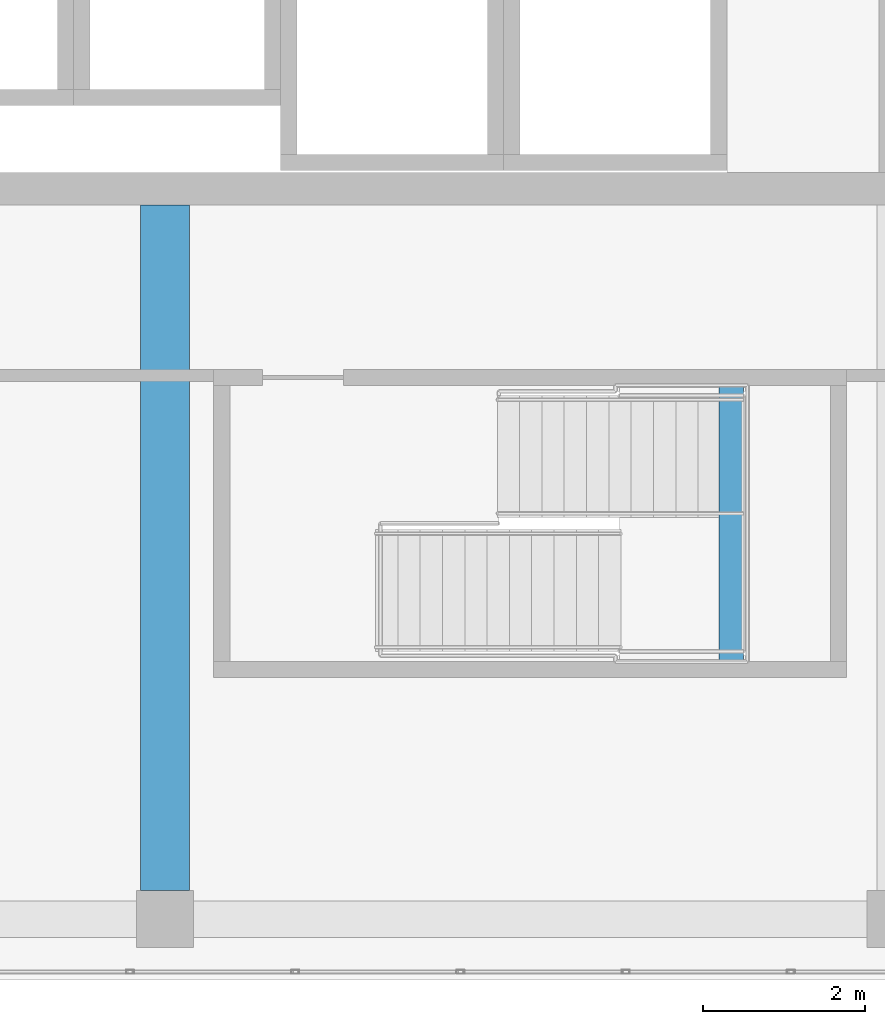
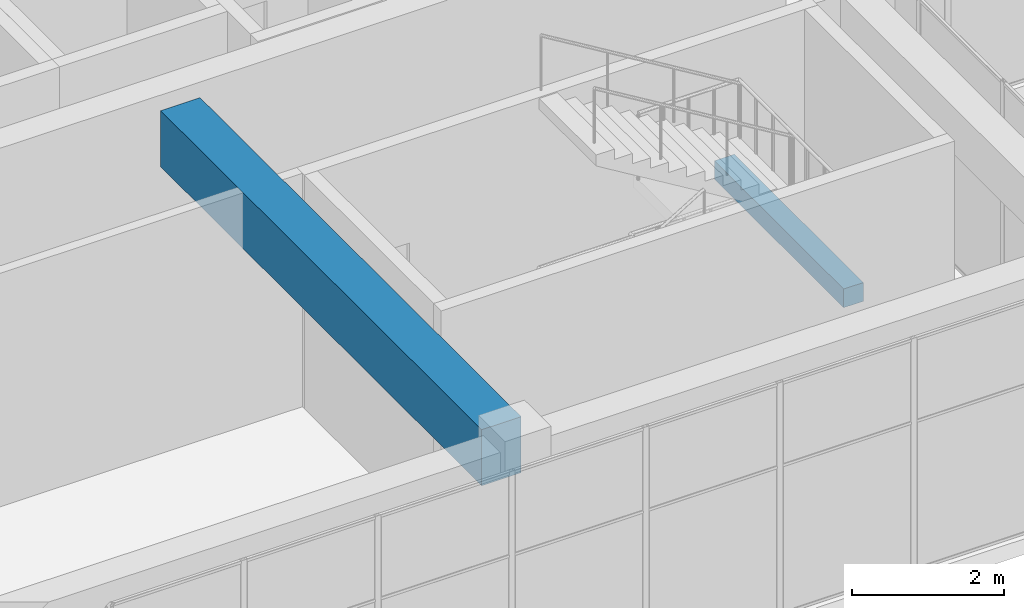
# One storey, part 19 of 43: 2 beams.
"""IFC4 building model written with IfcOpenShell, lengths in metres."""

from ifc_helpers import new_model, si_unit, direction, frame, origin, origin_2d, place, context, subcontext, project, spatial, rectangle, extrude, material, material_profile, profile_set, type_object, element, save


model = new_model("IFC4")

# Units and contexts
model_context = context("Model", 3, precision=1e-05, world=origin(), true_north=direction((0.0, 1.0)))
body_context = subcontext(model_context, "Body", "Model", "MODEL_VIEW")
ifc_project = project(units=[si_unit("LENGTHUNIT", "METRE"), si_unit("AREAUNIT", "SQUARE_METRE"), si_unit("VOLUMEUNIT", "CUBIC_METRE"), si_unit("PLANEANGLEUNIT", "RADIAN"), si_unit("MASSUNIT", "GRAM", prefix="KILO")], contexts=[model_context])

# Site, building, storey
site_placement = place(None, origin())
site = spatial("IfcSite", under=ifc_project, at=site_placement, CompositionType="ELEMENT")
building_placement = place(site_placement, origin())
building = spatial("IfcBuilding", under=site, at=building_placement, Name="Tuart Plaza Theatre", CompositionType="ELEMENT")
storey_placement = place(building_placement, frame((0.0, 0.0, 33.5)))
storey = spatial("IfcBuildingStorey", under=building, at=storey_placement, Name="L08", CompositionType="ELEMENT", Elevation=33.5)

# Beams
ifc_material_1 = material(Name="Concrete N40 (40 MPa)", Category="concrete")
ifc_material_profile_1 = material_profile(ifc_material_1, rectangle(XDim=0.300048828125, YDim=0.300048828125, at=origin_2d()), Name="BEAM 300x300 Concrete N40 (40 MPa)")
ifc_profile_set_1 = profile_set([ifc_material_profile_1], Name="Concrete N40 (40 MPa)")
beam_type_1 = type_object("IfcBeamType", Name="BEAM 300x300 Concrete N40 (40 MPa)", PredefinedType="BEAM", material=ifc_profile_set_1)
beam_1_placement = place(storey_placement, frame((138.97998046875, 59.175048828125, 1.64990234375), z_axis=(0.0, 1.0, 0.0), x_axis=(-1.0, 0.0, 0.0)))
element("IfcBeam", 1, at=beam_1_placement, inside=storey, type_object=beam_type_1, Name="RB504", PredefinedType="BEAM", context=body_context, shape_type="SweptSolid", body=[
    extrude(rectangle(XDim=0.300048828125, YDim=0.300048828125, at=origin_2d()), origin(), (0.0, 0.0, 1.0), 3.39990234375),
])
ifc_material_2 = material(Name="Concrete N40 (40 MPa)", Category="concrete")
ifc_material_profile_2 = material_profile(ifc_material_2, rectangle(XDim=0.60009765625, YDim=0.89990234375, at=origin_2d()), Name="BEAM 600x900 Concrete N40 (40 MPa)")
ifc_profile_set_2 = profile_set([ifc_material_profile_2], Name="Concrete N40 (40 MPa)")
beam_type_2 = type_object("IfcBeamType", Name="BEAM 600x900 Concrete N40 (40 MPa)", PredefinedType="BEAM", material=ifc_profile_set_2)
beam_2_placement = place(storey_placement, frame((132.0, 56.35009765625, 3.300048828125), z_axis=(0.0, 1.0, 0.0), x_axis=(-1.0, 0.0, 0.0)))
element("IfcBeam", 2, at=beam_2_placement, inside=storey, type_object=beam_type_2, Name="RB268", PredefinedType="BEAM", context=body_context, shape_type="SweptSolid", body=[
    extrude(rectangle(XDim=0.60009765625, YDim=0.89990234375, at=origin_2d()), origin(), (0.0, 0.0, 1.0), 8.449951171875),
])

save(model, "model.ifc")
